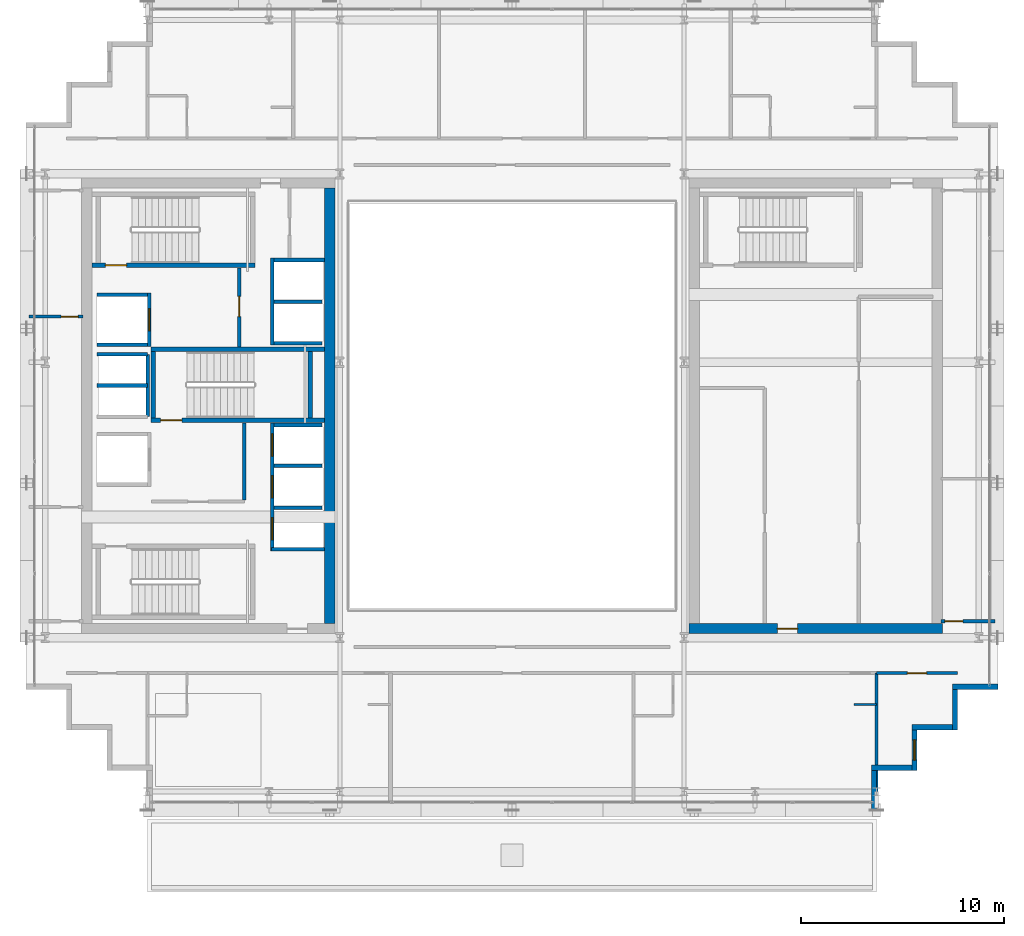
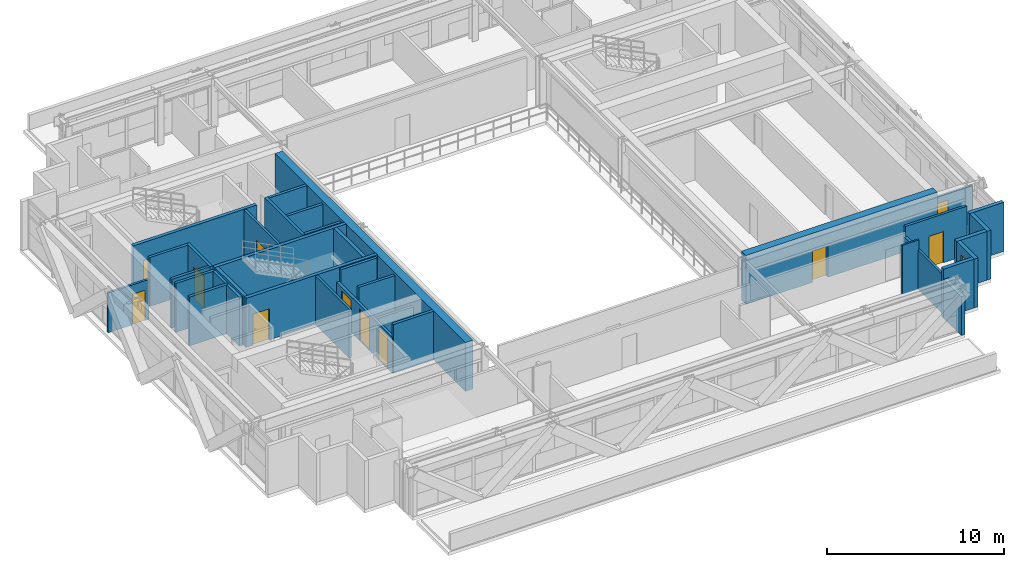
# One storey, part 28 of 34: 35 walls, 11 doors, 1 window, 12 openings.
"""IFC4 building model written with IfcOpenShell, lengths in metres."""

from ifc_helpers import new_model, si_unit, direction, frame, frame_2d, origin, place, context, subcontext, project, spatial, rectangle, extrude, source, transform, mapped, material, layer, layer_set, type_object, element, fill, save


model = new_model("IFC4")

# Units and contexts
model_context = context("Model", 3, precision=1e-05, world=origin(), true_north=direction((0.0, 1.0)))
body_context = subcontext(model_context, "Body", "Model", "MODEL_VIEW")
ifc_project = project(units=[si_unit("LENGTHUNIT", "METRE"), si_unit("AREAUNIT", "SQUARE_METRE"), si_unit("VOLUMEUNIT", "CUBIC_METRE"), si_unit("PLANEANGLEUNIT", "RADIAN"), si_unit("MASSUNIT", "GRAM", prefix="KILO")], contexts=[model_context])

# Site, building, storey
site_placement = place(None, origin())
site = spatial("IfcSite", under=ifc_project, at=site_placement, CompositionType="ELEMENT")
building_placement = place(site_placement, origin())
building = spatial("IfcBuilding", under=site, at=building_placement, Name="Ocotamira Hotel", CompositionType="ELEMENT")
storey_placement = place(building_placement, frame((0.0, 0.0, 163.199951171875)))
storey = spatial("IfcBuildingStorey", under=building, at=storey_placement, Name="L40", CompositionType="ELEMENT", Elevation=163.199951171875)

# Wall
ifc_material_1 = material(Name="Concrete C50/60", Category="concrete")
ifc_layer_1 = layer(ifc_material_1, 0.5)
ifc_layer_set_1 = layer_set([ifc_layer_1], Name="Concrete C50/60")
wall_type_1 = type_object("IfcWallType", Name="WL-CORE-500", PredefinedType="SHEAR", material=ifc_layer_set_1)
wall_1_placement = place(storey_placement, frame((23.0, 15.25, 0.0), z_axis=(0.0, 0.0, 1.0), x_axis=(0.0, 1.0, 0.0)))
element("IfcWall", 1, at=wall_1_placement, inside=storey, type_object=wall_type_1, Name="L40 Shear Core Wall WCORE-E", PredefinedType="SHEAR", context=body_context, shape_type="SweptSolid", body=[
    extrude(rectangle(XDim=21.5, YDim=0.5, at=frame_2d((10.75, 0.0))), origin(), (0.0, 0.0, 1.0), 3.3701171875),
])

# Wall, opening, door
wall_2_placement = place(storey_placement, frame((40.75, 15.0, 0.0), z_axis=(0.0, 0.0, 1.0), x_axis=(1.0, 0.0, 0.0)))
wall_2 = element("IfcWall", 2, at=wall_2_placement, inside=storey, type_object=wall_type_1, Name="L40 Shear Core Wall ECORE-S", PredefinedType="SHEAR", context=body_context, shape_type="SweptSolid", body=[
    extrude(rectangle(XDim=12.5, YDim=0.5, at=frame_2d((6.25, 0.0))), origin(), (0.0, 0.0, 1.0), 3.3701171875),
])
opening_1_placement = place(wall_2_placement, frame((4.35009765625, 0.0, 0.0)))
opening_1 = element("IfcOpeningElement", 3, at=opening_1_placement, cuts=wall_2, Name="Opening D-FR2", PredefinedType="OPENING", context=body_context, shape_type="SweptSolid", body=[
    extrude(rectangle(XDim=1.0, YDim=2.14990234375, at=frame_2d((0.5, 1.074951171875))), frame((0.0, 0.260009765625, 0.0), z_axis=(0.0, -1.0, 0.0), x_axis=(1.0, 0.0, 0.0)), (0.0, 0.0, 1.0), 0.52001953125),
])
ifc_material_2 = material(Name="Fire-rated acoustic timber-veneer door", Category="wood")
door_type_1 = type_object("IfcDoorType", Name="DR-FIRE-1000", OperationType="NOTDEFINED", PredefinedType="DOOR", material=ifc_material_2)
shared_shape_1 = source(origin(), body_context, "Body", "SweptSolid", [
    extrude(rectangle(XDim=1.0, YDim=2.14990234375, at=frame_2d((0.5, 1.074951171875))), frame((0.0, 0.02490234375, 0.0), z_axis=(0.0, -1.0, 0.0), x_axis=(1.0, 0.0, 0.0)), (0.0, 0.0, 1.0), 0.050048828125),
])
door_1_placement = place(opening_1_placement, origin())
door_1 = element("IfcDoor", 4, at=door_1_placement, inside=storey, type_object=door_type_1, Name="L40 Door ID-L40-ELOB-S-D [ID-L40-ELOB-S-D]", OperationType="SINGLE_SWING_RIGHT", OverallHeight=2.14990234375, OverallWidth=1.0, PredefinedType="DOOR", context=body_context, shape_type="MappedRepresentation", body=[
    mapped(shared_shape_1, transform((0.0, 0.0, 0.0), scale=1.0)),
])
fill(opening_1, door_1)

# Walls
ifc_material_3 = material(Name="Precast concrete C45/55", Category="concrete")
ifc_layer_2 = layer(ifc_material_3, 0.25)
ifc_layer_set_2 = layer_set([ifc_layer_2], Name="Precast concrete C45/55")
wall_type_2 = type_object("IfcWallType", Name="WL-EXT-SER-250", PredefinedType="SOLIDWALL", material=ifc_layer_set_2)
wall_3_placement = place(storey_placement, frame((49.875, 6.0, 0.0), z_axis=(0.0, 0.0, 1.0), x_axis=(0.0, 1.0, 0.0)))
element("IfcWall", 5, at=wall_3_placement, inside=storey, type_object=wall_type_2, Name="L40 Serrated Corner Wall 01", PredefinedType="SOLIDWALL", context=body_context, shape_type="SweptSolid", body=[
    extrude(rectangle(XDim=2.0, YDim=0.25, at=frame_2d((1.0, 0.0))), origin(), (0.0, 0.0, 1.0), 2.677001953125),
])
wall_4_placement = place(storey_placement, frame((49.75, 8.125, 0.0), z_axis=(0.0, 0.0, 1.0), x_axis=(1.0, 0.0, 0.0)))
element("IfcWall", 6, at=wall_4_placement, inside=storey, type_object=wall_type_2, Name="L40 Serrated Corner Wall 02", PredefinedType="SOLIDWALL", context=body_context, shape_type="SweptSolid", body=[
    extrude(rectangle(XDim=2.0, YDim=0.25, at=frame_2d((1.0, 0.0))), origin(), (0.0, 0.0, 1.0), 3.3701171875),
])

# Wall, opening, window
wall_5_placement = place(storey_placement, frame((51.875, 8.0, 0.0), z_axis=(0.0, 0.0, 1.0), x_axis=(0.0, 1.0, 0.0)))
wall_5 = element("IfcWall", 7, at=wall_5_placement, inside=storey, type_object=wall_type_2, Name="L40 Serrated Corner Wall 03", PredefinedType="SOLIDWALL", context=body_context, shape_type="SweptSolid", body=[
    extrude(rectangle(XDim=2.0, YDim=0.25, at=frame_2d((1.0, 0.0))), origin(), (0.0, 0.0, 1.0), 3.3701171875),
])
opening_2_placement = place(wall_5_placement, frame((0.5, 0.0, 0.85009765625)))
opening_2 = element("IfcOpeningElement", 8, at=opening_2_placement, cuts=wall_5, Name="Opening WN-2", PredefinedType="OPENING", context=body_context, shape_type="SweptSolid", body=[
    extrude(rectangle(XDim=1.0, YDim=1.89990234375, at=frame_2d((0.5, 0.949951171875))), frame((0.0, 0.135009765625, 0.0), z_axis=(0.0, -1.0, 0.0), x_axis=(1.0, 0.0, 0.0)), (0.0, 0.0, 1.0), 0.27001953125),
])
ifc_material_4 = material(Name="Double-silver low-E solar glass", Category="glass")
window_type = type_object("IfcWindowType", Name="WIN-SER-1100", PartitioningType="SINGLE_PANEL", PredefinedType="WINDOW", material=ifc_material_4)
shared_shape_2 = source(origin(), body_context, "Body", "SweptSolid", [
    extrude(rectangle(XDim=1.0, YDim=1.89990234375, at=frame_2d((0.5, 0.949951171875))), frame((0.0, 0.030029296875, 0.0), z_axis=(0.0, -1.0, 0.0), x_axis=(1.0, 0.0, 0.0)), (0.0, 0.0, 1.0), 0.06005859375),
])
window_placement = place(opening_2_placement, origin())
window = element("IfcWindow", 9, at=window_placement, inside=storey, type_object=window_type, Name="L40 Serrated Corner Window 03", OverallHeight=1.89990234375, OverallWidth=1.0, PartitioningType="SINGLE_PANEL", PredefinedType="WINDOW", context=body_context, shape_type="MappedRepresentation", body=[
    mapped(shared_shape_2, transform((0.0, 0.0, 0.0), scale=1.0)),
])
fill(opening_2, window)

# Walls
for number, where, z_axis, x_axis, name in (
    (10, (51.75, 10.125, 0.0), (0.0, 0.0, 1.0), (1.0, 0.0, 0.0), "L40 Serrated Corner Wall 04"),
    (11, (53.875, 10.0, 0.0), (0.0, 0.0, 1.0), (0.0, 1.0, 0.0), "L40 Serrated Corner Wall 05"),
):
    element("IfcWall", number, at=place(storey_placement, frame(where, z_axis=z_axis, x_axis=x_axis)), inside=storey, type_object=wall_type_2, Name=name, PredefinedType="SOLIDWALL", context=body_context, shape_type="SweptSolid", body=[
        extrude(rectangle(XDim=2.0, YDim=0.25, at=frame_2d((1.0, 0.0))), origin(), (0.0, 0.0, 1.0), 3.3701171875),
    ])
wall_6_placement = place(storey_placement, frame((53.75, 12.125, 0.0), z_axis=(0.0, 0.0, 1.0), x_axis=(1.0, 0.0, 0.0)))
element("IfcWall", 12, at=wall_6_placement, inside=storey, type_object=wall_type_2, Name="L40 Serrated Corner Wall 06", PredefinedType="SOLIDWALL", context=body_context, shape_type="SweptSolid", body=[
    extrude(rectangle(XDim=2.25, YDim=0.25, at=frame_2d((1.125, 0.0))), origin(), (0.0, 0.0, 1.0), 3.3701171875),
])
ifc_material_5 = material(Name="Acoustic double-layer fire gypsum board partition", Category="gypsum")
ifc_layer_3 = layer(ifc_material_5, 0.159912109375)
ifc_layer_set_3 = layer_set([ifc_layer_3], Name="Acoustic double-layer fire gypsum board partition")
wall_type_3 = type_object("IfcWallType", Name="WL-FIRE-160", PredefinedType="PARTITIONING", material=ifc_layer_set_3)
wall_7_placement = place(storey_placement, frame((18.780029296875, 21.35009765625, 0.0), z_axis=(0.0, 0.0, 1.0), x_axis=(0.0, 1.0, 0.0)))
element("IfcWall", 13, at=wall_7_placement, inside=storey, type_object=wall_type_3, Name="L40 Interior Wall PW-L40-FSAE1-E", PredefinedType="PARTITIONING", context=body_context, shape_type="SweptSolid", body=[
    extrude(rectangle(XDim=3.809814453125, YDim=0.159912109375, at=frame_2d((1.90478515625, 0.0))), origin(), (0.0, 0.0, 1.0), 3.3701171875),
])

# Wall, opening, door
wall_8_placement = place(storey_placement, frame((18.530029296875, 28.89990234375, 0.0), z_axis=(0.0, 0.0, 1.0), x_axis=(0.0, 1.0, 0.0)))
wall_8 = element("IfcWall", 14, at=wall_8_placement, inside=storey, type_object=wall_type_3, Name="L40 Interior Wall PW-L40-FSAE2-E", PredefinedType="PARTITIONING", context=body_context, shape_type="SweptSolid", body=[
    extrude(rectangle(XDim=3.900146484375, YDim=0.159912109375, at=frame_2d((1.9501953125, 0.0))), origin(), (0.0, 0.0, 1.0), 3.3701171875),
])
opening_3_placement = place(wall_8_placement, frame((1.5, 0.0, 0.0)))
opening_3 = element("IfcOpeningElement", 15, at=opening_3_placement, cuts=wall_8, Name="Opening D-FR2", PredefinedType="OPENING", context=body_context, shape_type="SweptSolid", body=[
    extrude(rectangle(XDim=1.0, YDim=2.14990234375, at=frame_2d((0.5, 1.074951171875))), frame((0.0, 0.08984375, 0.0), z_axis=(0.0, -1.0, 0.0), x_axis=(1.0, 0.0, 0.0)), (0.0, 0.0, 1.0), 0.179931640625),
])
door_2_placement = place(opening_3_placement, origin())
door_2 = element("IfcDoor", 16, at=door_2_placement, inside=storey, type_object=door_type_1, Name="L40 Door ID-L40-FSAE2-D [ID-L40-FSAE2-D]", OperationType="SINGLE_SWING_RIGHT", OverallHeight=2.14990234375, OverallWidth=1.0, PredefinedType="DOOR", context=body_context, shape_type="MappedRepresentation", body=[
    mapped(shared_shape_1, transform((0.0, 0.0, 0.0), scale=1.0)),
])
fill(opening_3, door_2)

wall_9_placement = place(storey_placement, frame((50.0, 12.800048828125, 0.0), z_axis=(0.0, 0.0, 1.0), x_axis=(1.0, 0.0, 0.0)))
wall_9 = element("IfcWall", 17, at=wall_9_placement, inside=storey, type_object=wall_type_3, Name="L40 Interior Wall PW-L40-Z3D-CSE-CW", PredefinedType="PARTITIONING", context=body_context, shape_type="SweptSolid", body=[
    extrude(rectangle(XDim=4.0, YDim=0.159912109375, at=frame_2d((2.0, 0.0))), origin(), (0.0, 0.0, 1.0), 3.3701171875),
])
opening_4_placement = place(wall_9_placement, frame((1.52001953125, 0.0, 0.0)))
opening_4 = element("IfcOpeningElement", 18, at=opening_4_placement, cuts=wall_9, Name="Opening D-SV4", PredefinedType="OPENING", context=body_context, shape_type="SweptSolid", body=[
    extrude(rectangle(XDim=0.9599609375, YDim=2.14990234375, at=frame_2d((0.47998046875, 1.074951171875))), frame((0.0, 0.08984375, 0.0), z_axis=(0.0, -1.0, 0.0), x_axis=(1.0, 0.0, 0.0)), (0.0, 0.0, 1.0), 0.179931640625),
])
ifc_material_6 = material(Name="Fire-rated accessible walnut salon door", Category="wood")
door_type_2 = type_object("IfcDoorType", Name="DR-SERV-960", OperationType="NOTDEFINED", PredefinedType="DOOR", material=ifc_material_6)
shared_shape_3 = source(origin(), body_context, "Body", "SweptSolid", [
    extrude(rectangle(XDim=0.9599609375, YDim=2.14990234375, at=frame_2d((0.47998046875, 1.074951171875))), frame((0.0, 0.02490234375, 0.0), z_axis=(0.0, -1.0, 0.0), x_axis=(1.0, 0.0, 0.0)), (0.0, 0.0, 1.0), 0.050048828125),
])
door_3_placement = place(opening_4_placement, origin())
door_3 = element("IfcDoor", 19, at=door_3_placement, inside=storey, type_object=door_type_2, Name="L40 Door ID-L40-Z3D-CSE-CD [ID-L40-Z3D-CSE-CD]", OperationType="SINGLE_SWING_LEFT", OverallHeight=2.14990234375, OverallWidth=0.9599609375, PredefinedType="DOOR", context=body_context, shape_type="MappedRepresentation", body=[
    mapped(shared_shape_3, transform((0.0, 0.0, 0.0), scale=1.0)),
])
fill(opening_4, door_3)

# Wall
ifc_material_7 = material(Name="Moisture-resistant en-suite tile and gypsum partition", Category="gypsum")
ifc_layer_4 = layer(ifc_material_7, 0.1201171875)
ifc_layer_set_4 = layer_set([ifc_layer_4], Name="Moisture-resistant en-suite tile and gypsum partition")
wall_type_4 = type_object("IfcWallType", Name="WL-PART-120", PredefinedType="PARTITIONING", material=ifc_layer_set_4)
wall_10_placement = place(storey_placement, frame((48.89990234375, 11.25, 0.0), z_axis=(0.0, 0.0, 1.0), x_axis=(1.0, 0.0, 0.0)))
element("IfcWall", 20, at=wall_10_placement, inside=storey, type_object=wall_type_4, Name="L40 Interior Wall PW-L40-Z3DS-DRN3", PredefinedType="PARTITIONING", context=body_context, shape_type="SweptSolid", body=[
    extrude(rectangle(XDim=1.10009765625, YDim=0.1201171875, at=frame_2d((0.550048828125, 0.0))), origin(), (0.0, 0.0, 1.0), 3.3701171875),
])

# Wall, opening, door
ifc_material_8 = material(Name="Acoustic hospitality gypsum board partition", Category="gypsum")
ifc_layer_5 = layer(ifc_material_8, 0.14208984375)
ifc_layer_set_5 = layer_set([ifc_layer_5], Name="Acoustic hospitality gypsum board partition")
wall_type_5 = type_object("IfcWallType", Name="WL-PART-142", PredefinedType="PARTITIONING", material=ifc_layer_set_5)
wall_11_placement = place(storey_placement, frame((8.159912109375, 30.39990234375, 0.0), z_axis=(0.0, 0.0, 1.0), x_axis=(1.0, 0.0, 0.0)))
wall_11 = element("IfcWall", 21, at=wall_11_placement, inside=storey, type_object=wall_type_5, Name="L40 Interior Wall PW-L40-Z3D-WF-DV2", PredefinedType="PARTITIONING", context=body_context, shape_type="SweptSolid", body=[
    extrude(rectangle(XDim=2.66015625, YDim=0.14208984375, at=frame_2d((1.330078125, 0.0))), origin(), (0.0, 0.0, 1.0), 2.7529296875),
])
opening_5_placement = place(wall_11_placement, frame((1.580078125, 0.0, 0.0)))
opening_5 = element("IfcOpeningElement", 22, at=opening_5_placement, cuts=wall_11, Name="Opening D-SV1", PredefinedType="OPENING", context=body_context, shape_type="SweptSolid", body=[
    extrude(rectangle(XDim=0.840087890625, YDim=2.10009765625, at=frame_2d((0.419921875, 1.050048828125))), frame((0.0, 0.0810546875, 0.0), z_axis=(0.0, -1.0, 0.0), x_axis=(1.0, 0.0, 0.0)), (0.0, 0.0, 1.0), 0.162109375),
])
ifc_material_9 = material(Name="Fire-rated painted steel service door", Category="steel")
door_type_3 = type_object("IfcDoorType", Name="DR-SERV-840", OperationType="NOTDEFINED", PredefinedType="DOOR", material=ifc_material_9)
shared_shape_4 = source(origin(), body_context, "Body", "SweptSolid", [
    extrude(rectangle(XDim=0.840087890625, YDim=2.10009765625, at=frame_2d((0.419921875, 1.050048828125))), frame((0.0, 0.02490234375, 0.0), z_axis=(0.0, -1.0, 0.0), x_axis=(1.0, 0.0, 0.0)), (0.0, 0.0, 1.0), 0.050048828125),
])
door_4_placement = place(opening_5_placement, origin())
door_4 = element("IfcDoor", 23, at=door_4_placement, inside=storey, type_object=door_type_3, Name="L40 Door ID-L40-Z3D-WF-DV2D [ID-L40-Z3D-WF-DV2D]", OperationType="SINGLE_SWING_RIGHT", OverallHeight=2.10009765625, OverallWidth=0.840087890625, PredefinedType="DOOR", context=body_context, shape_type="MappedRepresentation", body=[
    mapped(shared_shape_4, transform((0.0, 0.0, 0.0), scale=1.0)),
])
fill(opening_5, door_4)

ifc_layer_6 = layer(ifc_material_8, 0.14990234375)
ifc_layer_set_6 = layer_set([ifc_layer_6], Name="Acoustic hospitality gypsum board partition")
wall_type_6 = type_object("IfcWallType", Name="WL-PART-150", PredefinedType="PARTITIONING", material=ifc_layer_set_6)
wall_12_placement = place(storey_placement, frame((53.179931640625, 15.360107421875, 0.0), z_axis=(0.0, 0.0, 1.0), x_axis=(1.0, 0.0, 0.0)))
wall_12 = element("IfcWall", 24, at=wall_12_placement, inside=storey, type_object=wall_type_6, Name="L40 Interior Wall PW-L40-Z3D-EF-WS", PredefinedType="PARTITIONING", context=body_context, shape_type="SweptSolid", body=[
    extrude(rectangle(XDim=2.66015625, YDim=0.14990234375, at=frame_2d((1.330078125, 0.0))), origin(), (0.0, 0.0, 1.0), 2.591064453125),
])
opening_6_placement = place(wall_12_placement, frame((0.199951171875, 0.0, 0.0)))
opening_6 = element("IfcOpeningElement", 25, at=opening_6_placement, cuts=wall_12, Name="Opening D-SV2", PredefinedType="OPENING", context=body_context, shape_type="SweptSolid", body=[
    extrude(rectangle(XDim=0.8798828125, YDim=2.14990234375, at=frame_2d((0.43994140625, 1.074951171875))), frame((0.0, 0.0849609375, 0.0), z_axis=(0.0, -1.0, 0.0), x_axis=(1.0, 0.0, 0.0)), (0.0, 0.0, 1.0), 0.169921875),
])
door_type_4 = type_object("IfcDoorType", Name="DR-SERV-880", OperationType="NOTDEFINED", PredefinedType="DOOR", material=ifc_material_9)
shared_shape_5 = source(origin(), body_context, "Body", "SweptSolid", [
    extrude(rectangle(XDim=0.8798828125, YDim=2.14990234375, at=frame_2d((0.43994140625, 1.074951171875))), frame((0.0, 0.02490234375, 0.0), z_axis=(0.0, -1.0, 0.0), x_axis=(1.0, 0.0, 0.0)), (0.0, 0.0, 1.0), 0.050048828125),
])
door_5_placement = place(opening_6_placement, origin())
door_5 = element("IfcDoor", 26, at=door_5_placement, inside=storey, type_object=door_type_4, Name="L40 Door ID-L40-Z3D-EF-DS [ID-L40-Z3D-EF-DS]", OperationType="SINGLE_SWING_RIGHT", OverallHeight=2.14990234375, OverallWidth=0.8798828125, PredefinedType="DOOR", context=body_context, shape_type="MappedRepresentation", body=[
    mapped(shared_shape_5, transform((0.0, 0.0, 0.0), scale=1.0)),
])
fill(opening_6, door_5)

# Wall
ifc_material_10 = material(Name="Acoustic double-stud hospitality gypsum partition", Category="gypsum")
ifc_layer_7 = layer(ifc_material_10, 0.159912109375)
ifc_layer_set_7 = layer_set([ifc_layer_7], Name="Acoustic double-stud hospitality gypsum partition")
wall_type_7 = type_object("IfcWallType", Name="WL-PART-160", PredefinedType="PARTITIONING", material=ifc_layer_set_7)
wall_13_placement = place(storey_placement, frame((50.0, 6.360107421875, 0.0), z_axis=(0.0, 0.0, 1.0), x_axis=(0.0, 1.0, 0.0)))
element("IfcWall", 27, at=wall_13_placement, inside=storey, type_object=wall_type_7, Name="L40 Interior Wall PW-L40-Z3DS-PWEND", PredefinedType="PARTITIONING", context=body_context, shape_type="SweptSolid", body=[
    extrude(rectangle(XDim=6.43994140625, YDim=0.159912109375, at=frame_2d((3.219970703125, 0.0))), origin(), (0.0, 0.0, 1.0), 2.677001953125),
])

# Wall, openings, doors
ifc_material_11 = material(Name="Fire-rated gypsum shaftliner board assembly", Category="gypsum")
ifc_layer_8 = layer(ifc_material_11, 0.179931640625)
ifc_layer_set_8 = layer_set([ifc_layer_8], Name="Fire-rated gypsum shaftliner board assembly")
wall_type_8 = type_object("IfcWallType", Name="WL-SHAFT-180", PredefinedType="SOLIDWALL", material=ifc_layer_set_8)
wall_14_placement = place(storey_placement, frame((20.159912109375, 18.820068359375, 0.0), z_axis=(0.0, 0.0, 1.0), x_axis=(0.0, 1.0, 0.0)))
wall_14 = element("IfcWall", 28, at=wall_14_placement, inside=storey, type_object=wall_type_8, Name="L40 Interior Wall PW-L40-LFW-BANK-high-F", PredefinedType="SOLIDWALL", context=body_context, shape_type="SweptSolid", body=[
    extrude(rectangle(XDim=6.31982421875, YDim=0.179931640625, at=frame_2d((3.159912109375, 0.0))), origin(), (0.0, 0.0, 1.0), 2.469970703125),
])
opening_7_placement = place(wall_14_placement, frame((0.554931640625, 0.0, 0.0)))
opening_7 = element("IfcOpeningElement", 29, at=opening_7_placement, cuts=wall_14, Name="Opening LD-LF-P7", PredefinedType="OPENING", context=body_context, shape_type="SweptSolid", body=[
    extrude(rectangle(XDim=1.10009765625, YDim=2.199951171875, at=frame_2d((0.550048828125, 1.10009765625))), frame((0.0, 0.10009765625, 0.0), z_axis=(0.0, -1.0, 0.0), x_axis=(1.0, 0.0, 0.0)), (0.0, 0.0, 1.0), 0.199951171875),
])
opening_8_placement = place(wall_14_placement, frame((2.635009765625, 0.0, 0.0)))
opening_8 = element("IfcOpeningElement", 30, at=opening_8_placement, cuts=wall_14, Name="Opening LD-LF-P8", PredefinedType="OPENING", context=body_context, shape_type="SweptSolid", body=[
    extrude(rectangle(XDim=1.10009765625, YDim=2.199951171875, at=frame_2d((0.550048828125, 1.10009765625))), frame((0.0, 0.10009765625, 0.0), z_axis=(0.0, -1.0, 0.0), x_axis=(1.0, 0.0, 0.0)), (0.0, 0.0, 1.0), 0.199951171875),
])
opening_9_placement = place(wall_14_placement, frame((4.68994140625, 0.0, 0.0)))
opening_9 = element("IfcOpeningElement", 31, at=opening_9_placement, cuts=wall_14, Name="Opening LD-LF-P9", PredefinedType="OPENING", context=body_context, shape_type="SweptSolid", body=[
    extrude(rectangle(XDim=1.10009765625, YDim=2.199951171875, at=frame_2d((0.550048828125, 1.10009765625))), frame((0.0, 0.10009765625, 0.0), z_axis=(0.0, -1.0, 0.0), x_axis=(1.0, 0.0, 0.0)), (0.0, 0.0, 1.0), 0.199951171875),
])
ifc_material_12 = material(Name="Brushed pale-metal stainless elevator landing door", Category="steel")
door_type_5 = type_object("IfcDoorType", Name="DR-LIFT-1100", OperationType="NOTDEFINED", PredefinedType="DOOR", material=ifc_material_12)
shared_shape_6 = source(origin(), body_context, "Body", "SweptSolid", [
    extrude(rectangle(XDim=1.10009765625, YDim=2.199951171875, at=frame_2d((0.550048828125, 1.10009765625))), frame((0.0, 0.02490234375, 0.0), z_axis=(0.0, -1.0, 0.0), x_axis=(1.0, 0.0, 0.0)), (0.0, 0.0, 1.0), 0.050048828125),
])
door_6_placement = place(opening_7_placement, origin())
door_6 = element("IfcDoor", 32, at=door_6_placement, inside=storey, type_object=door_type_5, Name="L40 Landing Door LD-LF-P7 [ID-L40-LD-LF-P7]", OperationType="DOUBLE_DOOR_SLIDING", OverallHeight=2.199951171875, OverallWidth=1.10009765625, PredefinedType="DOOR", context=body_context, shape_type="MappedRepresentation", body=[
    mapped(shared_shape_6, transform((0.0, 0.0, 0.0), scale=1.0)),
])
fill(opening_7, door_6)
door_7_placement = place(opening_8_placement, origin())
door_7 = element("IfcDoor", 33, at=door_7_placement, inside=storey, type_object=door_type_5, Name="L40 Landing Door LD-LF-P8 [ID-L40-LD-LF-P8]", OperationType="DOUBLE_DOOR_SLIDING", OverallHeight=2.199951171875, OverallWidth=1.10009765625, PredefinedType="DOOR", context=body_context, shape_type="MappedRepresentation", body=[
    mapped(shared_shape_6, transform((0.0, 0.0, 0.0), scale=1.0)),
])
fill(opening_8, door_7)
door_8_placement = place(opening_9_placement, origin())
door_8 = element("IfcDoor", 34, at=door_8_placement, inside=storey, type_object=door_type_5, Name="L40 Landing Door LD-LF-P9 [ID-L40-LD-LF-P9]", OperationType="DOUBLE_DOOR_SLIDING", OverallHeight=2.199951171875, OverallWidth=1.10009765625, PredefinedType="DOOR", context=body_context, shape_type="MappedRepresentation", body=[
    mapped(shared_shape_6, transform((0.0, 0.0, 0.0), scale=1.0)),
])
fill(opening_9, door_8)

# Walls
wall_15_placement = place(storey_placement, frame((20.1201171875, 18.909912109375, 0.0), z_axis=(0.0, 0.0, 1.0), x_axis=(1.0, 0.0, 0.0)))
element("IfcWall", 35, at=wall_15_placement, inside=storey, type_object=wall_type_8, Name="L40 Interior Wall PW-L40-LFW-BANK-high-S", PredefinedType="SOLIDWALL", context=body_context, shape_type="SweptSolid", body=[
    extrude(rectangle(XDim=2.6298828125, YDim=0.179931640625, at=frame_2d((1.31494140625, 0.0))), origin(), (0.0, 0.0, 1.0), 3.3701171875),
])
wall_16_placement = place(storey_placement, frame((20.25, 25.050048828125, 0.0), z_axis=(0.0, 0.0, 1.0), x_axis=(1.0, 0.0, 0.0)))
element("IfcWall", 36, at=wall_16_placement, inside=storey, type_object=wall_type_8, Name="L40 Interior Wall PW-L40-LFW-BANK-high-N", PredefinedType="SOLIDWALL", context=body_context, shape_type="SweptSolid", body=[
    extrude(rectangle(XDim=2.360107421875, YDim=0.179931640625, at=frame_2d((1.18017578125, 0.0))), origin(), (0.0, 0.0, 1.0), 3.3701171875),
])
wall_17_placement = place(storey_placement, frame((20.25, 20.965087890625, 0.0), z_axis=(0.0, 0.0, 1.0), x_axis=(1.0, 0.0, 0.0)))
element("IfcWall", 37, at=wall_17_placement, inside=storey, type_object=wall_type_8, Name="L40 Interior Wall PW-L40-LFW-DIV-LF-P7", PredefinedType="SOLIDWALL", context=body_context, shape_type="SweptSolid", body=[
    extrude(rectangle(XDim=2.360107421875, YDim=0.179931640625, at=frame_2d((1.18017578125, 0.0))), origin(), (0.0, 0.0, 1.0), 2.469970703125),
])
wall_18_placement = place(storey_placement, frame((20.25, 23.044921875, 0.0), z_axis=(0.0, 0.0, 1.0), x_axis=(1.0, 0.0, 0.0)))
element("IfcWall", 38, at=wall_18_placement, inside=storey, type_object=wall_type_8, Name="L40 Interior Wall PW-L40-LFW-DIV-LF-P8", PredefinedType="SOLIDWALL", context=body_context, shape_type="SweptSolid", body=[
    extrude(rectangle(XDim=2.360107421875, YDim=0.179931640625, at=frame_2d((1.18017578125, 0.0))), origin(), (0.0, 0.0, 1.0), 3.3701171875),
])
wall_19_placement = place(storey_placement, frame((20.159912109375, 29.0, 0.0), z_axis=(0.0, 0.0, 1.0), x_axis=(0.0, 1.0, 0.0)))
element("IfcWall", 39, at=wall_19_placement, inside=storey, type_object=wall_type_8, Name="L40 Interior Wall PW-L40-LFW-BANK-obs-F", PredefinedType="SOLIDWALL", context=body_context, shape_type="SweptSolid", body=[
    extrude(rectangle(XDim=4.2900390625, YDim=0.179931640625, at=frame_2d((2.14501953125, 0.0))), origin(), (0.0, 0.0, 1.0), 3.3701171875),
])
wall_20_placement = place(storey_placement, frame((20.25, 29.090087890625, 0.0), z_axis=(0.0, 0.0, 1.0), x_axis=(1.0, 0.0, 0.0)))
element("IfcWall", 40, at=wall_20_placement, inside=storey, type_object=wall_type_8, Name="L40 Interior Wall PW-L40-LFW-BANK-obs-S", PredefinedType="SOLIDWALL", context=body_context, shape_type="SweptSolid", body=[
    extrude(rectangle(XDim=2.360107421875, YDim=0.179931640625, at=frame_2d((1.18017578125, 0.0))), origin(), (0.0, 0.0, 1.0), 3.3701171875),
])
wall_21_placement = place(storey_placement, frame((20.25, 33.199951171875, 0.0), z_axis=(0.0, 0.0, 1.0), x_axis=(1.0, 0.0, 0.0)))
element("IfcWall", 41, at=wall_21_placement, inside=storey, type_object=wall_type_8, Name="L40 Interior Wall PW-L40-LFW-BANK-obs-N", PredefinedType="SOLIDWALL", context=body_context, shape_type="SweptSolid", body=[
    extrude(rectangle(XDim=2.5, YDim=0.179931640625, at=frame_2d((1.25, 0.0))), origin(), (0.0, 0.0, 1.0), 3.3701171875),
])
wall_22_placement = place(storey_placement, frame((20.25, 31.14501953125, 0.0), z_axis=(0.0, 0.0, 1.0), x_axis=(1.0, 0.0, 0.0)))
element("IfcWall", 42, at=wall_22_placement, inside=storey, type_object=wall_type_8, Name="L40 Interior Wall PW-L40-LFW-DIV-LF-OBS1", PredefinedType="SOLIDWALL", context=body_context, shape_type="SweptSolid", body=[
    extrude(rectangle(XDim=2.360107421875, YDim=0.179931640625, at=frame_2d((1.18017578125, 0.0))), origin(), (0.0, 0.0, 1.0), 3.3701171875),
])
for number, where, z_axis, x_axis, name in (
    (43, (11.5, 29.010009765625, 0.0), (0.0, 0.0, 1.0), (1.0, 0.0, 0.0), "L40 Interior Wall PW-L40-LFW-LF-FSAE2-S"),
    (44, (11.5, 31.489990234375, 0.0), (0.0, 0.0, 1.0), (1.0, 0.0, 0.0), "L40 Interior Wall PW-L40-LFW-LF-FSAE2-N"),
):
    element("IfcWall", number, at=place(storey_placement, frame(where, z_axis=z_axis, x_axis=x_axis)), inside=storey, type_object=wall_type_8, Name=name, PredefinedType="SOLIDWALL", context=body_context, shape_type="SweptSolid", body=[
        extrude(rectangle(XDim=2.5, YDim=0.179931640625, at=frame_2d((1.25, 0.0))), origin(), (0.0, 0.0, 1.0), 3.3701171875),
    ])

# Wall, opening, door
wall_23_placement = place(storey_placement, frame((14.090087890625, 28.919921875, 0.0), z_axis=(0.0, 0.0, 1.0), x_axis=(0.0, 1.0, 0.0)))
wall_23 = element("IfcWall", 45, at=wall_23_placement, inside=storey, type_object=wall_type_8, Name="L40 Interior Wall PW-L40-LFW-LF-FSAE2-E", PredefinedType="SOLIDWALL", context=body_context, shape_type="SweptSolid", body=[
    extrude(rectangle(XDim=2.66015625, YDim=0.179931640625, at=frame_2d((1.330078125, 0.0))), origin(), (0.0, 0.0, 1.0), 3.3701171875),
])
opening_10_placement = place(wall_23_placement, frame((0.780029296875, 0.0, 0.0)))
opening_10 = element("IfcOpeningElement", 46, at=opening_10_placement, cuts=wall_23, Name="Opening LD-LF-FSAE2", PredefinedType="OPENING", context=body_context, shape_type="SweptSolid", body=[
    extrude(rectangle(XDim=1.10009765625, YDim=2.199951171875, at=frame_2d((0.550048828125, 1.10009765625))), frame((0.0, 0.10009765625, 0.0), z_axis=(0.0, -1.0, 0.0), x_axis=(1.0, 0.0, 0.0)), (0.0, 0.0, 1.0), 0.199951171875),
])
door_9_placement = place(opening_10_placement, origin())
door_9 = element("IfcDoor", 47, at=door_9_placement, inside=storey, type_object=door_type_5, Name="L40 Landing Door LD-LF-FSAE2 [ID-L40-LD-LF-FSAE2]", OperationType="DOUBLE_DOOR_SLIDING", OverallHeight=2.199951171875, OverallWidth=1.10009765625, PredefinedType="DOOR", context=body_context, shape_type="MappedRepresentation", body=[
    mapped(shared_shape_6, transform((0.0, 0.0, 0.0), scale=1.0)),
])
fill(opening_10, door_9)

# Walls
for number, where, z_axis, x_axis, name in (
    (48, (11.5, 27.0, 0.0), (0.0, 0.0, 1.0), (1.0, 0.0, 0.0), "L40 Interior Wall PW-L40-RSW-MID"),
    (49, (11.5, 28.5400390625, 0.0), (0.0, 0.0, 1.0), (1.0, 0.0, 0.0), "L40 Interior Wall PW-L40-RSW-N"),
):
    element("IfcWall", number, at=place(storey_placement, frame(where, z_axis=z_axis, x_axis=x_axis)), inside=storey, type_object=wall_type_8, Name=name, PredefinedType="SOLIDWALL", context=body_context, shape_type="SweptSolid", body=[
        extrude(rectangle(XDim=2.510009765625, YDim=0.179931640625, at=frame_2d((1.2548828125, 0.0))), origin(), (0.0, 0.0, 1.0), 3.3701171875),
    ])
wall_24_placement = place(storey_placement, frame((14.010009765625, 25.4599609375, 0.0), z_axis=(0.0, 0.0, 1.0), x_axis=(0.0, 1.0, 0.0)))
element("IfcWall", 50, at=wall_24_placement, inside=storey, type_object=wall_type_8, Name="L40 Interior Wall PW-L40-RSW-E", PredefinedType="SOLIDWALL", context=body_context, shape_type="SweptSolid", body=[
    extrude(rectangle(XDim=3.080078125, YDim=0.179931640625, at=frame_2d((1.5400390625, 0.0))), origin(), (0.0, 0.0, 1.0), 3.3701171875),
])

# Wall, opening, door
ifc_layer_9 = layer(ifc_material_1, 0.219970703125)
ifc_layer_set_9 = layer_set([ifc_layer_9], Name="Concrete C50/60")
wall_type_9 = type_object("IfcWallType", Name="WL-STAIR-220", PredefinedType="SHEAR", material=ifc_layer_set_9)
wall_25_placement = place(storey_placement, frame((11.25, 32.93994140625, 0.0), z_axis=(0.0, 0.0, 1.0), x_axis=(1.0, 0.0, 0.0)))
wall_25 = element("IfcWall", 51, at=wall_25_placement, inside=storey, type_object=wall_type_9, Name="L40 Stair Shaft Structural Wall ST-2-S", PredefinedType="SHEAR", context=body_context, shape_type="SweptSolid", body=[
    extrude(rectangle(XDim=8.06005859375, YDim=0.219970703125, at=frame_2d((4.030029296875, 0.0))), origin(), (0.0, 0.0, 1.0), 3.400146484375),
])
opening_11_placement = place(wall_25_placement, frame((0.669921875, 0.0, 0.0)))
opening_11 = element("IfcOpeningElement", 52, at=opening_11_placement, cuts=wall_25, Name="Opening D-ST2", PredefinedType="OPENING", context=body_context, shape_type="SweptSolid", body=[
    extrude(rectangle(XDim=1.050048828125, YDim=2.14990234375, at=frame_2d((0.52490234375, 1.074951171875))), frame((0.0, 0.1201171875, 0.0), z_axis=(0.0, -1.0, 0.0), x_axis=(1.0, 0.0, 0.0)), (0.0, 0.0, 1.0), 0.239990234375),
])
ifc_material_13 = material(Name="Insulated painted hollow-metal fire exit door", Category="steel")
door_type_6 = type_object("IfcDoorType", Name="DR-STAIR-1050", OperationType="NOTDEFINED", PredefinedType="DOOR", material=ifc_material_13)
shared_shape_7 = source(origin(), body_context, "Body", "SweptSolid", [
    extrude(rectangle(XDim=1.050048828125, YDim=2.14990234375, at=frame_2d((0.52490234375, 1.074951171875))), frame((0.0, 0.02490234375, 0.0), z_axis=(0.0, -1.0, 0.0), x_axis=(1.0, 0.0, 0.0)), (0.0, 0.0, 1.0), 0.050048828125),
])
door_10_placement = place(opening_11_placement, origin())
door_10 = element("IfcDoor", 53, at=door_10_placement, inside=storey, type_object=door_type_6, Name="L40 Door ID-L40-STD-ST-2 [ID-L40-STD-ST-2]", OperationType="SINGLE_SWING_RIGHT", OverallHeight=2.14990234375, OverallWidth=1.050048828125, PredefinedType="DOOR", context=body_context, shape_type="MappedRepresentation", body=[
    mapped(shared_shape_7, transform((0.0, 0.0, 0.0), scale=1.0)),
])
fill(opening_11, door_10)

wall_26_placement = place(storey_placement, frame((14.179931640625, 25.2900390625, 0.0), z_axis=(0.0, 0.0, 1.0), x_axis=(1.0, 0.0, 0.0)))
wall_26 = element("IfcWall", 54, at=wall_26_placement, inside=storey, type_object=wall_type_9, Name="L40 Stair Shaft Structural Wall ST-3-S", PredefinedType="SHEAR", context=body_context, shape_type="SweptSolid", body=[
    extrude(rectangle(XDim=8.570068359375, YDim=0.219970703125, at=frame_2d((4.28515625, 0.0))), origin(), (0.0, 0.0, 1.0), 3.400146484375),
])
opening_12_placement = place(wall_26_placement, frame((0.469970703125, 0.0, 0.0)))
opening_12 = element("IfcOpeningElement", 55, at=opening_12_placement, cuts=wall_26, Name="Opening D-ST2", PredefinedType="OPENING", context=body_context, shape_type="SweptSolid", body=[
    extrude(rectangle(XDim=1.050048828125, YDim=2.14990234375, at=frame_2d((0.52490234375, 1.074951171875))), frame((0.0, 0.1201171875, 0.0), z_axis=(0.0, -1.0, 0.0), x_axis=(1.0, 0.0, 0.0)), (0.0, 0.0, 1.0), 0.239990234375),
])
door_11_placement = place(opening_12_placement, origin())
door_11 = element("IfcDoor", 56, at=door_11_placement, inside=storey, type_object=door_type_6, Name="L40 Door ID-L40-STD-ST-3 [ID-L40-STD-ST-3]", OperationType="SINGLE_SWING_LEFT", OverallHeight=2.14990234375, OverallWidth=1.050048828125, PredefinedType="DOOR", context=body_context, shape_type="MappedRepresentation", body=[
    mapped(shared_shape_7, transform((0.0, 0.0, 0.0), scale=1.0)),
])
fill(opening_12, door_11)

# Walls
wall_27_placement = place(storey_placement, frame((14.179931640625, 28.7900390625, 0.0), z_axis=(0.0, 0.0, 1.0), x_axis=(1.0, 0.0, 0.0)))
element("IfcWall", 57, at=wall_27_placement, inside=storey, type_object=wall_type_9, Name="L40 Stair Shaft Structural Wall ST-3-N", PredefinedType="SHEAR", context=body_context, shape_type="SweptSolid", body=[
    extrude(rectangle(XDim=8.570068359375, YDim=0.219970703125, at=frame_2d((4.28515625, 0.0))), origin(), (0.0, 0.0, 1.0), 3.400146484375),
])
for number, where, z_axis, x_axis, name in (
    (58, (14.2900390625, 25.39990234375, 0.0), (0.0, 0.0, 1.0), (0.0, 1.0, 0.0), "L40 Stair Shaft Structural Wall ST-3-W"),
    (59, (22.030029296875, 25.39990234375, 0.0), (0.0, 0.0, 1.0), (0.0, 1.0, 0.0), "L40 Stair Shaft Structural Wall ST-3-E"),
):
    element("IfcWall", number, at=place(storey_placement, frame(where, z_axis=z_axis, x_axis=x_axis)), inside=storey, type_object=wall_type_9, Name=name, PredefinedType="SHEAR", context=body_context, shape_type="SweptSolid", body=[
        extrude(rectangle(XDim=3.280029296875, YDim=0.219970703125, at=frame_2d((1.64013671875, 0.0))), origin(), (0.0, 0.0, 1.0), 3.400146484375),
    ])

save(model, "model.ifc")
